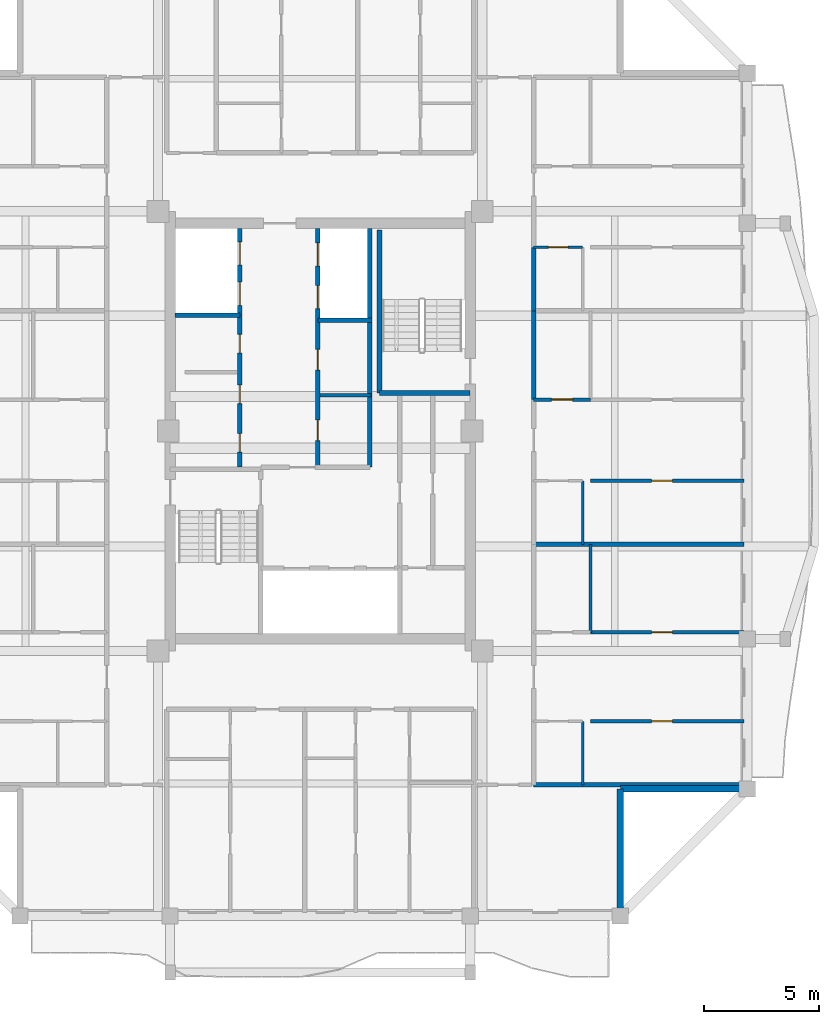
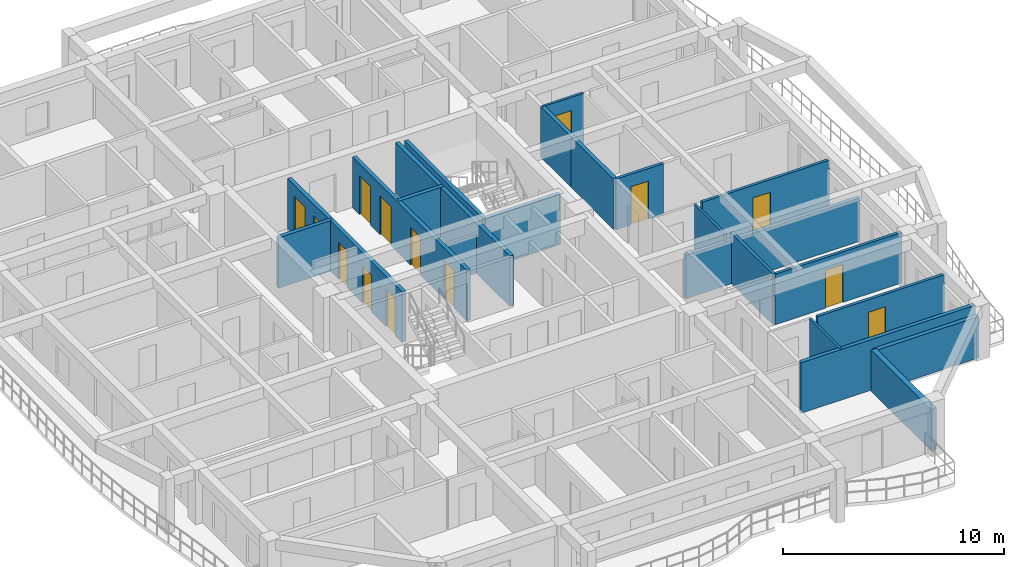
# One storey, part 5 of 14: 23 walls, 14 doors, 14 openings.
"""IFC4 building model written with IfcOpenShell, lengths in metres."""

from ifc_helpers import new_model, si_unit, direction, frame, frame_2d, origin, place, context, subcontext, project, spatial, rectangle, extrude, source, transform, mapped, material, layer, layer_set, type_object, element, fill, save


model = new_model("IFC4")

# Units and contexts
model_context = context("Model", 3, precision=1e-05, world=origin(), true_north=direction((0.0, 1.0)))
body_context = subcontext(model_context, "Body", "Model", "MODEL_VIEW")
ifc_project = project(units=[si_unit("LENGTHUNIT", "METRE"), si_unit("AREAUNIT", "SQUARE_METRE"), si_unit("VOLUMEUNIT", "CUBIC_METRE"), si_unit("PLANEANGLEUNIT", "RADIAN"), si_unit("MASSUNIT", "GRAM", prefix="KILO")], contexts=[model_context])

# Site, building, storey
site_placement = place(None, origin())
site = spatial("IfcSite", under=ifc_project, at=site_placement, CompositionType="ELEMENT")
building_placement = place(site_placement, origin())
building = spatial("IfcBuilding", under=site, at=building_placement, Name="Saelheon Loggia Tower", CompositionType="ELEMENT")
storey_placement = place(building_placement, frame((0.0, 0.0, 210.300048828125)))
storey = spatial("IfcBuildingStorey", under=building, at=storey_placement, Name="L65", CompositionType="ELEMENT", Elevation=210.300048828125)

# Walls
ifc_material_1 = material(Name="Architectural Precast Concrete C40/50", Category="concrete")
ifc_layer_1 = layer(ifc_material_1, 0.280029296875)
ifc_layer_set_1 = layer_set([ifc_layer_1], Name="Architectural Precast Concrete C40/50")
wall_type_1 = type_object("IfcWallType", Name="Wall_Ext_Loggia_280", PredefinedType="SOLIDWALL", material=ifc_layer_set_1)
for number, where, z_axis, x_axis, name in (
    (1, (51.0, 6.080078125, 0.0), (0.0, 0.0, 1.0), (0.0, 1.0, 0.0), "L65 Corner Notch Precast Wall SE1"),
    (2, (51.0, 11.5, 0.0), (0.0, 0.0, 1.0), (1.0, 0.0, 0.0), "L65 Corner Notch Precast Wall SE2"),
):
    element("IfcWall", number, at=place(storey_placement, frame(where, z_axis=z_axis, x_axis=x_axis)), inside=storey, type_object=wall_type_1, Name=name, PredefinedType="SOLIDWALL", context=body_context, shape_type="SweptSolid", body=[
        extrude(rectangle(XDim=5.419921875, YDim=0.280029296875, at=frame_2d((2.7099609375, 0.0))), origin(), (0.0, 0.0, 1.0), 2.280029296875),
    ])
ifc_material_2 = material(Name="Lightweight Autoclaved Aerated Concrete Block and Acoustic Gypsum", Category="concrete")
ifc_layer_2 = layer(ifc_material_2, 0.14990234375)
ifc_layer_set_2 = layer_set([ifc_layer_2], Name="Lightweight Autoclaved Aerated Concrete Block and Acoustic Gypsum")
wall_type_2 = type_object("IfcWallType", Name="Wall_Part_150", PredefinedType="PARTITIONING", material=ifc_layer_set_2)
wall_1_placement = place(storey_placement, frame((38.0, 28.550048828125, 0.0), z_axis=(0.0, 0.0, 1.0), x_axis=(1.0, 0.0, 0.0)))
element("IfcWall", 3, at=wall_1_placement, inside=storey, type_object=wall_type_2, Name="L65 Freed Core Partition PM", PredefinedType="PARTITIONING", context=body_context, shape_type="SweptSolid", body=[
    extrude(rectangle(XDim=2.199951171875, YDim=0.14990234375, at=frame_2d((1.10009765625, 0.0))), origin(), (0.0, 0.0, 1.0), 2.139892578125),
])
wall_2_placement = place(storey_placement, frame((49.7099609375, 18.280029296875, 0.0), z_axis=(0.0, 0.0, 1.0), x_axis=(0.0, 1.0, 0.0)))
element("IfcWall", 4, at=wall_2_placement, inside=storey, type_object=wall_type_2, Name="L65 E Partition V07", PredefinedType="PARTITIONING", context=body_context, shape_type="SweptSolid", body=[
    extrude(rectangle(XDim=3.817626953125, YDim=0.14990234375, at=frame_2d((1.90869140625, 0.0))), origin(), (0.0, 0.0, 1.0), 2.7900390625),
])

# Wall, opening, door
wall_3_placement = place(storey_placement, frame((49.7099609375, 14.429931640625, 0.0), z_axis=(0.0, 0.0, 1.0), x_axis=(1.0, 0.0, 0.0)))
wall_3 = element("IfcWall", 5, at=wall_3_placement, inside=storey, type_object=wall_type_2, Name="L65 E Partition U09", PredefinedType="PARTITIONING", context=body_context, shape_type="SweptSolid", body=[
    extrude(rectangle(XDim=6.64013671875, YDim=0.14990234375, at=frame_2d((3.320068359375, 0.0))), origin(), (0.0, 0.0, 1.0), 2.7900390625),
])
opening_1_placement = place(wall_3_placement, frame((2.65087890625, 0.0, 0.0)))
opening_1 = element("IfcOpeningElement", 6, at=opening_1_placement, cuts=wall_3, Name="Opening D-IN2", PredefinedType="OPENING", context=body_context, shape_type="SweptSolid", body=[
    extrude(rectangle(XDim=0.89990234375, YDim=2.10009765625, at=frame_2d((0.449951171875, 1.050048828125))), frame((0.0, 0.0869140625, 0.0), z_axis=(0.0, -1.0, 0.0), x_axis=(1.0, 0.0, 0.0)), (0.0, 0.0, 1.0), 0.173828125),
])
ifc_material_3 = material(Name="Engineered Oak Flush Door", Category="timber")
door_type_1 = type_object("IfcDoorType", Name="Door_Int_900", OperationType="NOTDEFINED", PredefinedType="DOOR", material=ifc_material_3)
shared_shape_1 = source(origin(), body_context, "Body", "SweptSolid", [
    extrude(rectangle(XDim=0.89990234375, YDim=2.10009765625, at=frame_2d((0.449951171875, 1.050048828125))), frame((0.0, 0.02490234375, 0.0), z_axis=(0.0, -1.0, 0.0), x_axis=(1.0, 0.0, 0.0)), (0.0, 0.0, 1.0), 0.050048828125),
])
door_1_placement = place(opening_1_placement, origin())
door_1 = element("IfcDoor", 7, at=door_1_placement, inside=storey, type_object=door_type_1, Name="Unit U08 Kitchen Door", OperationType="SINGLE_SWING_RIGHT", OverallHeight=2.10009765625, OverallWidth=0.89990234375, PredefinedType="DOOR", context=body_context, shape_type="MappedRepresentation", body=[
    mapped(shared_shape_1, transform((0.0, 0.0, 0.0), scale=1.0)),
])
fill(opening_1, door_1)

wall_4_placement = place(storey_placement, frame((49.7099609375, 18.280029296875, 0.0), z_axis=(0.0, 0.0, 1.0), x_axis=(1.0, 0.0, 0.0)))
wall_4 = element("IfcWall", 8, at=wall_4_placement, inside=storey, type_object=wall_type_2, Name="L65 E Partition U11", PredefinedType="PARTITIONING", context=body_context, shape_type="SweptSolid", body=[
    extrude(rectangle(XDim=6.64013671875, YDim=0.14990234375, at=frame_2d((3.320068359375, 0.0))), origin(), (0.0, 0.0, 1.0), 2.7900390625),
])
opening_2_placement = place(wall_4_placement, frame((2.65087890625, 0.0, 0.0)))
opening_2 = element("IfcOpeningElement", 9, at=opening_2_placement, cuts=wall_4, Name="Opening D-IN2", PredefinedType="OPENING", context=body_context, shape_type="SweptSolid", body=[
    extrude(rectangle(XDim=0.89990234375, YDim=2.10009765625, at=frame_2d((0.449951171875, 1.050048828125))), frame((0.0, 0.0869140625, 0.0), z_axis=(0.0, -1.0, 0.0), x_axis=(1.0, 0.0, 0.0)), (0.0, 0.0, 1.0), 0.173828125),
])
door_2_placement = place(opening_2_placement, origin())
door_2 = element("IfcDoor", 10, at=door_2_placement, inside=storey, type_object=door_type_1, Name="Unit U08 Bedroom 1 Door", OperationType="SINGLE_SWING_RIGHT", OverallHeight=2.10009765625, OverallWidth=0.89990234375, PredefinedType="DOOR", context=body_context, shape_type="MappedRepresentation", body=[
    mapped(shared_shape_1, transform((0.0, 0.0, 0.0), scale=1.0)),
])
fill(opening_2, door_2)

wall_5_placement = place(storey_placement, frame((49.7099609375, 24.84765625, 0.0), z_axis=(0.0, 0.0, 1.0), x_axis=(1.0, 0.0, 0.0)))
wall_5 = element("IfcWall", 11, at=wall_5_placement, inside=storey, type_object=wall_type_2, Name="L65 E Partition U19", PredefinedType="PARTITIONING", context=body_context, shape_type="SweptSolid", body=[
    extrude(rectangle(XDim=6.64013671875, YDim=0.14990234375, at=frame_2d((3.320068359375, 0.0))), origin(), (0.0, 0.0, 1.0), 2.7900390625),
])
opening_3_placement = place(wall_5_placement, frame((2.65087890625, 0.0, 0.0)))
opening_3 = element("IfcOpeningElement", 12, at=opening_3_placement, cuts=wall_5, Name="Opening D-IN2", PredefinedType="OPENING", context=body_context, shape_type="SweptSolid", body=[
    extrude(rectangle(XDim=0.89990234375, YDim=2.10009765625, at=frame_2d((0.449951171875, 1.050048828125))), frame((0.0, 0.0869140625, 0.0), z_axis=(0.0, -1.0, 0.0), x_axis=(1.0, 0.0, 0.0)), (0.0, 0.0, 1.0), 0.173828125),
])
door_3_placement = place(opening_3_placement, origin())
door_3 = element("IfcDoor", 13, at=door_3_placement, inside=storey, type_object=door_type_1, Name="Unit U09 Kitchen Door", OperationType="SINGLE_SWING_LEFT", OverallHeight=2.10009765625, OverallWidth=0.89990234375, PredefinedType="DOOR", context=body_context, shape_type="MappedRepresentation", body=[
    mapped(shared_shape_1, transform((0.0, 0.0, 0.0), scale=1.0)),
])
fill(opening_3, door_3)

wall_6_placement = place(storey_placement, frame((47.25, 28.366455078125, 0.0), z_axis=(0.0, 0.0, 1.0), x_axis=(1.0, 0.0, 0.0)))
wall_6 = element("IfcWall", 14, at=wall_6_placement, inside=storey, type_object=wall_type_2, Name="L65 E Partition U20", PredefinedType="PARTITIONING", context=body_context, shape_type="SweptSolid", body=[
    extrude(rectangle(XDim=2.4599609375, YDim=0.14990234375, at=frame_2d((1.22998046875, 0.0))), origin(), (0.0, 0.0, 1.0), 2.7900390625),
])
opening_4_placement = place(wall_6_placement, frame((0.780029296875, 0.0, 0.0)))
opening_4 = element("IfcOpeningElement", 15, at=opening_4_placement, cuts=wall_6, Name="Opening D-IN2", PredefinedType="OPENING", context=body_context, shape_type="SweptSolid", body=[
    extrude(rectangle(XDim=0.89990234375, YDim=2.10009765625, at=frame_2d((0.449951171875, 1.050048828125))), frame((0.0, 0.0869140625, 0.0), z_axis=(0.0, -1.0, 0.0), x_axis=(1.0, 0.0, 0.0)), (0.0, 0.0, 1.0), 0.173828125),
])
door_4_placement = place(opening_4_placement, origin())
door_4 = element("IfcDoor", 16, at=door_4_placement, inside=storey, type_object=door_type_1, Name="Unit U09 Dressing Closet Door", OperationType="SINGLE_SWING_RIGHT", OverallHeight=2.10009765625, OverallWidth=0.89990234375, PredefinedType="DOOR", context=body_context, shape_type="MappedRepresentation", body=[
    mapped(shared_shape_1, transform((0.0, 0.0, 0.0), scale=1.0)),
])
fill(opening_4, door_4)

# Walls
ifc_material_4 = material(Name="Double Acoustic Stud and Fireboard Partition", Category="gypsum")
ifc_layer_3 = layer(ifc_material_4, 0.199951171875)
ifc_layer_set_3 = layer_set([ifc_layer_3], Name="Double Acoustic Stud and Fireboard Partition")
wall_type_3 = type_object("IfcWallType", Name="Wall_Party_200", PredefinedType="PARTITIONING", material=ifc_layer_set_3)
wall_7_placement = place(storey_placement, frame((47.25, 11.679931640625, 0.0), z_axis=(0.0, 0.0, 1.0), x_axis=(1.0, 0.0, 0.0)))
element("IfcWall", 17, at=wall_7_placement, inside=storey, type_object=wall_type_3, Name="L65 E Partition U01", PredefinedType="PARTITIONING", context=body_context, shape_type="SweptSolid", body=[
    extrude(rectangle(XDim=9.10009765625, YDim=0.199951171875, at=frame_2d((4.550048828125, 0.0))), origin(), (0.0, 0.0, 1.0), 2.7900390625),
])
wall_8_placement = place(storey_placement, frame((47.25, 22.09765625, 0.0), z_axis=(0.0, 0.0, 1.0), x_axis=(1.0, 0.0, 0.0)))
element("IfcWall", 18, at=wall_8_placement, inside=storey, type_object=wall_type_3, Name="L65 E Partition U12", PredefinedType="PARTITIONING", context=body_context, shape_type="SweptSolid", body=[
    extrude(rectangle(XDim=9.10009765625, YDim=0.199951171875, at=frame_2d((4.550048828125, 0.0))), origin(), (0.0, 0.0, 1.0), 2.389892578125),
])
wall_9_placement = place(storey_placement, frame((47.25, 28.366455078125, 0.0), z_axis=(0.0, 0.0, 1.0), x_axis=(0.0, 1.0, 0.0)))
element("IfcWall", 19, at=wall_9_placement, inside=storey, type_object=wall_type_3, Name="L65 E Partition V15", PredefinedType="PARTITIONING", context=body_context, shape_type="SweptSolid", body=[
    extrude(rectangle(XDim=3.84228515625, YDim=0.199951171875, at=frame_2d((1.921142578125, 0.0))), origin(), (0.0, 0.0, 1.0), 2.7900390625),
])
wall_10_placement = place(storey_placement, frame((47.25, 32.208740234375, 0.0), z_axis=(0.0, 0.0, 1.0), x_axis=(0.0, 1.0, 0.0)))
element("IfcWall", 20, at=wall_10_placement, inside=storey, type_object=wall_type_3, Name="L65 E Partition V23", PredefinedType="PARTITIONING", context=body_context, shape_type="SweptSolid", body=[
    extrude(rectangle(XDim=2.75, YDim=0.199951171875, at=frame_2d((1.375, 0.0))), origin(), (0.0, 0.0, 1.0), 2.7900390625),
])
ifc_material_5 = material(Name="Concrete C40/50", Category="concrete")
ifc_layer_4 = layer(ifc_material_5, 0.199951171875)
ifc_layer_set_4 = layer_set([ifc_layer_4], Name="Concrete C40/50")
wall_type_4 = type_object("IfcWallType", Name="Wall_Shaft_200", PredefinedType="PARTITIONING", material=ifc_layer_set_4)
wall_11_placement = place(storey_placement, frame((40.14990234375, 25.43994140625, 0.0), z_axis=(0.0, 0.0, 1.0), x_axis=(0.0, 1.0, 0.0)))
element("IfcWall", 21, at=wall_11_placement, inside=storey, type_object=wall_type_4, Name="L65 Core Service Passage West Wall", PredefinedType="PARTITIONING", context=body_context, shape_type="SweptSolid", body=[
    extrude(rectangle(XDim=6.360107421875, YDim=0.199951171875, at=frame_2d((3.18017578125, 0.0))), origin(), (0.0, 0.0, 1.0), 2.7900390625),
])
wall_12_placement = place(storey_placement, frame((40.14990234375, 31.800048828125, 0.0), z_axis=(0.0, 0.0, 1.0), x_axis=(0.0, 1.0, 0.0)))
element("IfcWall", 22, at=wall_12_placement, inside=storey, type_object=wall_type_4, Name="L65 East High-Rise Hoistway East Wall", PredefinedType="PARTITIONING", context=body_context, shape_type="SweptSolid", body=[
    extrude(rectangle(XDim=3.97998046875, YDim=0.199951171875, at=frame_2d((1.989990234375, 0.0))), origin(), (0.0, 0.0, 1.0), 2.7900390625),
])

# Wall, openings, doors
wall_13_placement = place(storey_placement, frame((34.52001953125, 25.43994140625, 0.0), z_axis=(0.0, 0.0, 1.0), x_axis=(0.0, 1.0, 0.0)))
wall_13 = element("IfcWall", 23, at=wall_13_placement, inside=storey, type_object=wall_type_4, Name="L65 West Passenger Lift Bank Wall", PredefinedType="PARTITIONING", context=body_context, shape_type="SweptSolid", body=[
    extrude(rectangle(XDim=10.340087890625, YDim=0.199951171875, at=frame_2d((5.169921875, 0.0))), origin(), (0.0, 0.0, 1.0), 2.7900390625),
])
opening_5_placement = place(wall_13_placement, frame((0.64990234375, 0.0, 0.0)))
opening_5 = element("IfcOpeningElement", 24, at=opening_5_placement, cuts=wall_13, Name="Opening D-ST1", PredefinedType="OPENING", context=body_context, shape_type="SweptSolid", body=[
    extrude(rectangle(XDim=0.800048828125, YDim=2.050048828125, at=frame_2d((0.39990234375, 1.02490234375))), frame((0.0, 0.112060546875, 0.0), z_axis=(0.0, -1.0, 0.0), x_axis=(1.0, 0.0, 0.0)), (0.0, 0.0, 1.0), 0.223876953125),
])
opening_6_placement = place(wall_13_placement, frame((2.75, 0.0, 0.0)))
opening_6 = element("IfcOpeningElement", 25, at=opening_6_placement, cuts=wall_13, Name="Opening D-ST1", PredefinedType="OPENING", context=body_context, shape_type="SweptSolid", body=[
    extrude(rectangle(XDim=0.800048828125, YDim=2.050048828125, at=frame_2d((0.39990234375, 1.02490234375))), frame((0.0, 0.112060546875, 0.0), z_axis=(0.0, -1.0, 0.0), x_axis=(1.0, 0.0, 0.0)), (0.0, 0.0, 1.0), 0.223876953125),
])
opening_7_placement = place(wall_13_placement, frame((4.949951171875, 0.0, 0.0)))
opening_7 = element("IfcOpeningElement", 26, at=opening_7_placement, cuts=wall_13, Name="Opening D-ST1", PredefinedType="OPENING", context=body_context, shape_type="SweptSolid", body=[
    extrude(rectangle(XDim=0.800048828125, YDim=2.050048828125, at=frame_2d((0.39990234375, 1.02490234375))), frame((0.0, 0.112060546875, 0.0), z_axis=(0.0, -1.0, 0.0), x_axis=(1.0, 0.0, 0.0)), (0.0, 0.0, 1.0), 0.223876953125),
])
opening_8_placement = place(wall_13_placement, frame((7.010009765625, 0.0, 0.0)))
opening_8 = element("IfcOpeningElement", 27, at=opening_8_placement, cuts=wall_13, Name="Opening LD1", PredefinedType="OPENING", context=body_context, shape_type="SweptSolid", body=[
    extrude(rectangle(XDim=1.0, YDim=2.14990234375, at=frame_2d((0.5, 1.074951171875))), frame((0.0, 0.112060546875, 0.0), z_axis=(0.0, -1.0, 0.0), x_axis=(1.0, 0.0, 0.0)), (0.0, 0.0, 1.0), 0.223876953125),
])
opening_9_placement = place(wall_13_placement, frame((8.760009765625, 0.0, 0.0)))
opening_9 = element("IfcOpeningElement", 28, at=opening_9_placement, cuts=wall_13, Name="Opening LD1", PredefinedType="OPENING", context=body_context, shape_type="SweptSolid", body=[
    extrude(rectangle(XDim=1.0, YDim=2.14990234375, at=frame_2d((0.5, 1.074951171875))), frame((0.0, 0.112060546875, 0.0), z_axis=(0.0, -1.0, 0.0), x_axis=(1.0, 0.0, 0.0)), (0.0, 0.0, 1.0), 0.223876953125),
])
ifc_material_6 = material(Name="Brushed Stainless Steel 304 Landing Door", Category="steel")
door_type_2 = type_object("IfcDoorType", Name="Door_Lift_LD1", OperationType="DOUBLE_DOOR_SLIDING", PredefinedType="DOOR", material=ifc_material_6)
shared_shape_2 = source(origin(), body_context, "Body", "SweptSolid", [
    extrude(rectangle(XDim=1.0, YDim=2.14990234375, at=frame_2d((0.5, 1.074951171875))), frame((0.0, 0.02490234375, 0.0), z_axis=(0.0, -1.0, 0.0), x_axis=(1.0, 0.0, 0.0)), (0.0, 0.0, 1.0), 0.050048828125),
])
door_5_placement = place(opening_8_placement, origin())
door_5 = element("IfcDoor", 29, at=door_5_placement, inside=storey, type_object=door_type_2, Name="L65 PH1 Landing Door", OperationType="DOUBLE_DOOR_SLIDING", OverallHeight=2.14990234375, OverallWidth=1.0, PredefinedType="DOOR", context=body_context, shape_type="MappedRepresentation", body=[
    mapped(shared_shape_2, transform((0.0, 0.0, 0.0), scale=1.0)),
])
fill(opening_8, door_5)
door_6_placement = place(opening_9_placement, origin())
door_6 = element("IfcDoor", 30, at=door_6_placement, inside=storey, type_object=door_type_2, Name="L65 PH2 Landing Door", OperationType="DOUBLE_DOOR_SLIDING", OverallHeight=2.14990234375, OverallWidth=1.0, PredefinedType="DOOR", context=body_context, shape_type="MappedRepresentation", body=[
    mapped(shared_shape_2, transform((0.0, 0.0, 0.0), scale=1.0)),
])
fill(opening_9, door_6)
ifc_material_7 = material(Name="Powder-Coated Steel Store Door", Category="steel")
door_type_3 = type_object("IfcDoorType", Name="Door_Store_800", OperationType="NOTDEFINED", PredefinedType="DOOR", material=ifc_material_7)
shared_shape_3 = source(origin(), body_context, "Body", "SweptSolid", [
    extrude(rectangle(XDim=0.800048828125, YDim=2.050048828125, at=frame_2d((0.39990234375, 1.02490234375))), frame((0.0, 0.02490234375, 0.0), z_axis=(0.0, -1.0, 0.0), x_axis=(1.0, 0.0, 0.0)), (0.0, 0.0, 1.0), 0.050048828125),
])
door_7_placement = place(opening_5_placement, origin())
door_7 = element("IfcDoor", 31, at=door_7_placement, inside=storey, type_object=door_type_3, Name="L65 Telecom Store Door", OperationType="SINGLE_SWING_LEFT", OverallHeight=2.050048828125, OverallWidth=0.800048828125, PredefinedType="DOOR", context=body_context, shape_type="MappedRepresentation", body=[
    mapped(shared_shape_3, transform((0.0, 0.0, 0.0), scale=1.0)),
])
fill(opening_5, door_7)
door_8_placement = place(opening_6_placement, origin())
door_8 = element("IfcDoor", 32, at=door_8_placement, inside=storey, type_object=door_type_3, Name="L65 Linen Closet Door", OperationType="SINGLE_SWING_RIGHT", OverallHeight=2.050048828125, OverallWidth=0.800048828125, PredefinedType="DOOR", context=body_context, shape_type="MappedRepresentation", body=[
    mapped(shared_shape_3, transform((0.0, 0.0, 0.0), scale=1.0)),
])
fill(opening_6, door_8)
door_9_placement = place(opening_7_placement, origin())
door_9 = element("IfcDoor", 33, at=door_9_placement, inside=storey, type_object=door_type_3, Name="L65 Metering Store Door", OperationType="SINGLE_SWING_LEFT", OverallHeight=2.050048828125, OverallWidth=0.800048828125, PredefinedType="DOOR", context=body_context, shape_type="MappedRepresentation", body=[
    mapped(shared_shape_3, transform((0.0, 0.0, 0.0), scale=1.0)),
])
fill(opening_7, door_9)

# Wall
wall_14_placement = place(storey_placement, frame((31.719970703125, 32.02001953125, 0.0), z_axis=(0.0, 0.0, 1.0), x_axis=(1.0, 0.0, 0.0)))
element("IfcWall", 34, at=wall_14_placement, inside=storey, type_object=wall_type_4, Name="L65 West High-Rise Shaft Divider", PredefinedType="PARTITIONING", context=body_context, shape_type="SweptSolid", body=[
    extrude(rectangle(XDim=2.800048828125, YDim=0.199951171875, at=frame_2d((1.39990234375, 0.0))), origin(), (0.0, 0.0, 1.0), 2.7900390625),
])

# Wall, openings, doors
wall_15_placement = place(storey_placement, frame((37.89990234375, 25.43994140625, 0.0), z_axis=(0.0, 0.0, 1.0), x_axis=(0.0, 1.0, 0.0)))
wall_15 = element("IfcWall", 35, at=wall_15_placement, inside=storey, type_object=wall_type_4, Name="L65 East Passenger Lift Bank Wall", PredefinedType="PARTITIONING", context=body_context, shape_type="SweptSolid", body=[
    extrude(rectangle(XDim=10.340087890625, YDim=0.199951171875, at=frame_2d((5.169921875, 0.0))), origin(), (0.0, 0.0, 1.0), 2.7900390625),
])
opening_10_placement = place(wall_15_placement, frame((1.14990234375, 0.0, 0.0)))
opening_10 = element("IfcOpeningElement", 36, at=opening_10_placement, cuts=wall_15, Name="Opening D-RS1", PredefinedType="OPENING", context=body_context, shape_type="SweptSolid", body=[
    extrude(rectangle(XDim=0.89990234375, YDim=2.10009765625, at=frame_2d((0.449951171875, 1.050048828125))), frame((0.0, 0.112060546875, 0.0), z_axis=(0.0, -1.0, 0.0), x_axis=(1.0, 0.0, 0.0)), (0.0, 0.0, 1.0), 0.223876953125),
])
opening_11_placement = place(wall_15_placement, frame((4.199951171875, 0.0, 0.0)))
opening_11 = element("IfcOpeningElement", 37, at=opening_11_placement, cuts=wall_15, Name="Opening D-RS1", PredefinedType="OPENING", context=body_context, shape_type="SweptSolid", body=[
    extrude(rectangle(XDim=0.89990234375, YDim=2.10009765625, at=frame_2d((0.449951171875, 1.050048828125))), frame((0.0, 0.112060546875, 0.0), z_axis=(0.0, -1.0, 0.0), x_axis=(1.0, 0.0, 0.0)), (0.0, 0.0, 1.0), 0.223876953125),
])
opening_12_placement = place(wall_15_placement, frame((6.860107421875, 0.0, 0.0)))
opening_12 = element("IfcOpeningElement", 38, at=opening_12_placement, cuts=wall_15, Name="Opening LD1", PredefinedType="OPENING", context=body_context, shape_type="SweptSolid", body=[
    extrude(rectangle(XDim=1.0, YDim=2.14990234375, at=frame_2d((0.5, 1.074951171875))), frame((0.0, 0.112060546875, 0.0), z_axis=(0.0, -1.0, 0.0), x_axis=(1.0, 0.0, 0.0)), (0.0, 0.0, 1.0), 0.223876953125),
])
opening_13_placement = place(wall_15_placement, frame((8.7099609375, 0.0, 0.0)))
opening_13 = element("IfcOpeningElement", 39, at=opening_13_placement, cuts=wall_15, Name="Opening LD1", PredefinedType="OPENING", context=body_context, shape_type="SweptSolid", body=[
    extrude(rectangle(XDim=1.0, YDim=2.14990234375, at=frame_2d((0.5, 1.074951171875))), frame((0.0, 0.112060546875, 0.0), z_axis=(0.0, -1.0, 0.0), x_axis=(1.0, 0.0, 0.0)), (0.0, 0.0, 1.0), 0.223876953125),
])
ifc_material_8 = material(Name="Galvanised Steel Riser Access Door", Category="steel")
door_type_4 = type_object("IfcDoorType", Name="Door_Riser_FD60", OperationType="NOTDEFINED", PredefinedType="DOOR", material=ifc_material_8)
door_10_placement = place(opening_10_placement, origin())
door_10 = element("IfcDoor", 40, at=door_10_placement, inside=storey, type_object=door_type_4, Name="L65 Upper Housekeeping Door", OperationType="SINGLE_SWING_RIGHT", OverallHeight=2.10009765625, OverallWidth=0.89990234375, PredefinedType="DOOR", context=body_context, shape_type="MappedRepresentation", body=[
    mapped(shared_shape_1, transform((0.0, 0.0, 0.0), scale=1.0)),
])
fill(opening_10, door_10)
door_11_placement = place(opening_11_placement, origin())
door_11 = element("IfcDoor", 41, at=door_11_placement, inside=storey, type_object=door_type_4, Name="L65 Upper Pantry Door", OperationType="SINGLE_SWING_LEFT", OverallHeight=2.10009765625, OverallWidth=0.89990234375, PredefinedType="DOOR", context=body_context, shape_type="MappedRepresentation", body=[
    mapped(shared_shape_1, transform((0.0, 0.0, 0.0), scale=1.0)),
])
fill(opening_11, door_11)
door_12_placement = place(opening_12_placement, origin())
door_12 = element("IfcDoor", 42, at=door_12_placement, inside=storey, type_object=door_type_2, Name="L65 PH3 Landing Door", OperationType="DOUBLE_DOOR_SLIDING", OverallHeight=2.14990234375, OverallWidth=1.0, PredefinedType="DOOR", context=body_context, shape_type="MappedRepresentation", body=[
    mapped(shared_shape_2, transform((0.0, 0.0, 0.0), scale=1.0)),
])
fill(opening_12, door_12)
door_13_placement = place(opening_13_placement, origin())
door_13 = element("IfcDoor", 43, at=door_13_placement, inside=storey, type_object=door_type_2, Name="L65 PH4 Landing Door", OperationType="DOUBLE_DOOR_SLIDING", OverallHeight=2.14990234375, OverallWidth=1.0, PredefinedType="DOOR", context=body_context, shape_type="MappedRepresentation", body=[
    mapped(shared_shape_2, transform((0.0, 0.0, 0.0), scale=1.0)),
])
fill(opening_13, door_13)

# Walls
wall_16_placement = place(storey_placement, frame((37.89990234375, 31.800048828125, 0.0), z_axis=(0.0, 0.0, 1.0), x_axis=(1.0, 0.0, 0.0)))
element("IfcWall", 44, at=wall_16_placement, inside=storey, type_object=wall_type_4, Name="L65 East High-Rise Shaft Divider", PredefinedType="PARTITIONING", context=body_context, shape_type="SweptSolid", body=[
    extrude(rectangle(XDim=2.35009765625, YDim=0.199951171875, at=frame_2d((1.175048828125, 0.0))), origin(), (0.0, 0.0, 1.0), 2.7900390625),
])
ifc_material_9 = material(Name="Concrete C45/55", Category="concrete")
ifc_layer_5 = layer(ifc_material_9, 0.199951171875)
ifc_layer_set_5 = layer_set([ifc_layer_5], Name="Concrete C45/55")
wall_type_5 = type_object("IfcWallType", Name="Wall_StairShaft_RC200", PredefinedType="SOLIDWALL", material=ifc_layer_set_5)
wall_17_placement = place(storey_placement, frame((40.570068359375, 28.64990234375, 0.0), z_axis=(0.0, 0.0, 1.0), x_axis=(0.0, 1.0, 0.0)))
element("IfcWall", 45, at=wall_17_placement, inside=storey, type_object=wall_type_5, Name="L65 Stair ST2 Shaft Wall", PredefinedType="SOLIDWALL", context=body_context, shape_type="SweptSolid", body=[
    extrude(rectangle(XDim=7.050048828125, YDim=0.199951171875, at=frame_2d((3.52490234375, 0.0))), origin(), (0.0, 0.0, 1.0), 2.7900390625),
])
wall_18_placement = place(storey_placement, frame((40.570068359375, 28.64990234375, 0.0), z_axis=(0.0, 0.0, 1.0), x_axis=(1.0, 0.0, 0.0)))
element("IfcWall", 46, at=wall_18_placement, inside=storey, type_object=wall_type_5, Name="L65 Stair ST2 South Wall", PredefinedType="SOLIDWALL", context=body_context, shape_type="SweptSolid", body=[
    extrude(rectangle(XDim=3.929931640625, YDim=0.199951171875, at=frame_2d((1.96484375, 0.0))), origin(), (0.0, 0.0, 1.0), 2.7900390625),
])
ifc_material_10 = material(Name="Moisture-Resistant Cement Board Partition", Category="gypsum")
ifc_layer_6 = layer(ifc_material_10, 0.1201171875)
ifc_layer_set_6 = layer_set([ifc_layer_6], Name="Moisture-Resistant Cement Board Partition")
wall_type_6 = type_object("IfcWallType", Name="Wall_WetPart_120", PredefinedType="PARTITIONING", material=ifc_layer_set_6)
for number, where, z_axis, x_axis, name in (
    (47, (49.3701171875, 11.679931640625, 0.0), (0.0, 0.0, 1.0), (0.0, 1.0, 0.0), "L65 E Partition V06"),
    (48, (49.3701171875, 22.09765625, 0.0), (0.0, 0.0, 1.0), (0.0, 1.0, 0.0), "L65 E Partition V16"),
):
    element("IfcWall", number, at=place(storey_placement, frame(where, z_axis=z_axis, x_axis=x_axis)), inside=storey, type_object=wall_type_6, Name=name, PredefinedType="PARTITIONING", context=body_context, shape_type="SweptSolid", body=[
        extrude(rectangle(XDim=2.75, YDim=0.1201171875, at=frame_2d((1.375, 0.0))), origin(), (0.0, 0.0, 1.0), 2.7900390625),
    ])

# Wall, opening, door
wall_19_placement = place(storey_placement, frame((47.25, 34.958740234375, 0.0), z_axis=(0.0, 0.0, 1.0), x_axis=(1.0, 0.0, 0.0)))
wall_19 = element("IfcWall", 49, at=wall_19_placement, inside=storey, type_object=wall_type_6, Name="L65 E Partition U28", PredefinedType="PARTITIONING", context=body_context, shape_type="SweptSolid", body=[
    extrude(rectangle(XDim=2.1201171875, YDim=0.1201171875, at=frame_2d((1.06005859375, 0.0))), origin(), (0.0, 0.0, 1.0), 2.7900390625),
])
opening_14_placement = place(wall_19_placement, frame((0.635009765625, 0.0, 0.0)))
opening_14 = element("IfcOpeningElement", 50, at=opening_14_placement, cuts=wall_19, Name="Opening D-BT1", PredefinedType="OPENING", context=body_context, shape_type="SweptSolid", body=[
    extrude(rectangle(XDim=0.85009765625, YDim=2.050048828125, at=frame_2d((0.425048828125, 1.02490234375))), frame((0.0, 0.072021484375, 0.0), z_axis=(0.0, -1.0, 0.0), x_axis=(1.0, 0.0, 0.0)), (0.0, 0.0, 1.0), 0.14404296875),
])
ifc_material_11 = material(Name="Moisture-Resistant Laminate Timber Door", Category="wood")
door_type_5 = type_object("IfcDoorType", Name="Door_Bath_850", OperationType="NOTDEFINED", PredefinedType="DOOR", material=ifc_material_11)
shared_shape_4 = source(origin(), body_context, "Body", "SweptSolid", [
    extrude(rectangle(XDim=0.85009765625, YDim=2.050048828125, at=frame_2d((0.425048828125, 1.02490234375))), frame((0.0, 0.02490234375, 0.0), z_axis=(0.0, -1.0, 0.0), x_axis=(1.0, 0.0, 0.0)), (0.0, 0.0, 1.0), 0.050048828125),
])
door_14_placement = place(opening_14_placement, origin())
door_14 = element("IfcDoor", 51, at=door_14_placement, inside=storey, type_object=door_type_5, Name="Unit U10 Bathroom Door", OperationType="SINGLE_SWING_LEFT", OverallHeight=2.050048828125, OverallWidth=0.85009765625, PredefinedType="DOOR", context=body_context, shape_type="MappedRepresentation", body=[
    mapped(shared_shape_4, transform((0.0, 0.0, 0.0), scale=1.0)),
])
fill(opening_14, door_14)

save(model, "model.ifc")
